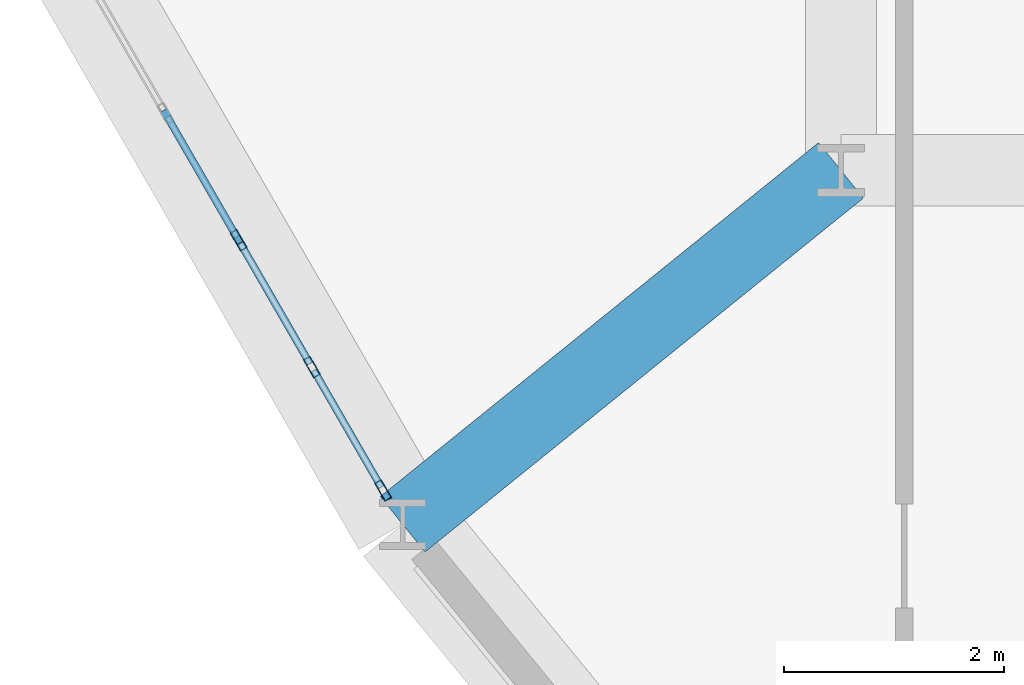
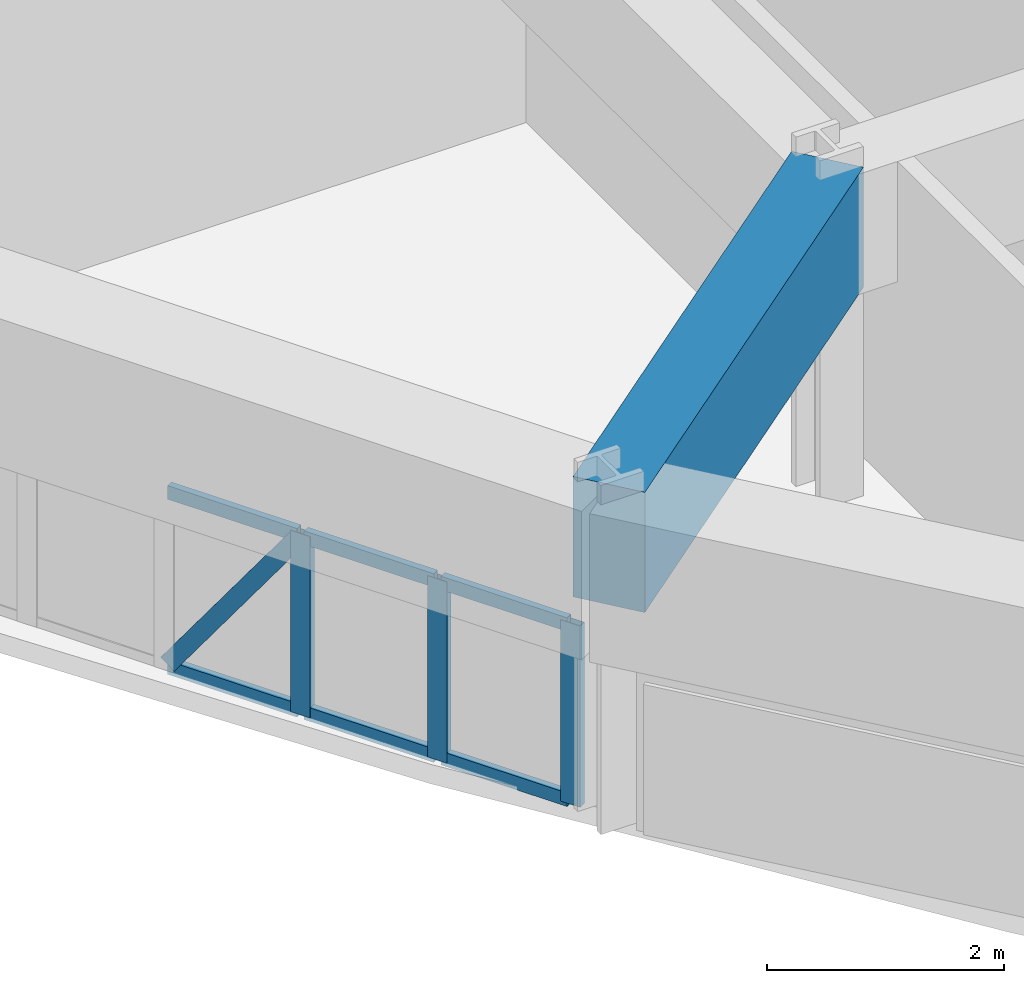
# One storey, part 2 of 15: 10 members, 1 beam, 1 element without a shape of its own.
"""IFC4 building model written with IfcOpenShell, lengths in metres."""

from ifc_helpers import new_model, si_unit, derived_unit, direction, frame, origin, origin_2d, place, context, subcontext, project, spatial, rectangle, hollow_rectangle, extrude, source, transform, mapped, material, layer, layer_set, material_profile, profile_set, type_object, element, aggregate, save


model = new_model("IFC4")

# Units and contexts
model_context = context("Model", 3, precision=1e-05, world=origin(), true_north=direction((0.0, 1.0)))
body_context = subcontext(model_context, "Body", "Model", "MODEL_VIEW")
ifc_project = project(units=[si_unit("LENGTHUNIT", "METRE"), si_unit("AREAUNIT", "SQUARE_METRE"), si_unit("VOLUMEUNIT", "CUBIC_METRE"), si_unit("PLANEANGLEUNIT", "RADIAN"), si_unit("MASSUNIT", "GRAM", prefix="KILO"), derived_unit("THERMALTRANSMITTANCEUNIT", [(si_unit("POWERUNIT", "WATT"), 1), (si_unit("LENGTHUNIT", "METRE"), -2), (si_unit("THERMODYNAMICTEMPERATUREUNIT", "KELVIN"), -1)])], contexts=[model_context])

# Site, building, storey
site_placement = place(None, origin())
site = spatial("IfcSite", under=ifc_project, at=site_placement, CompositionType="ELEMENT")
building_placement = place(site_placement, origin())
building = spatial("IfcBuilding", under=site, at=building_placement, Name="Korsvarv Bourse and Concert Hall", CompositionType="ELEMENT")
storey_placement = place(building_placement, frame((0.0, 0.0, 109.800048828125)))
storey = spatial("IfcBuildingStorey", under=building, at=storey_placement, Name="L27", CompositionType="ELEMENT", Elevation=109.800048828125)

# Beam
ifc_material_1 = material(Name="Concrete C50/60", Category="concrete")
ifc_material_profile_1 = material_profile(ifc_material_1, rectangle(XDim=0.64990234375, YDim=1.239990234375, at=origin_2d()), Name="RC-BM 650x1240")
ifc_profile_set_1 = profile_set([ifc_material_profile_1], Name="Concrete C50/60")
beam_type = type_object("IfcBeamType", Name="BM-TR-SPN", PredefinedType="BEAM", material=ifc_profile_set_1)
shared_shape_1 = source(origin(), body_context, "Body", "SweptSolid", [
    extrude(rectangle(XDim=0.64990234375, YDim=1.239990234375, at=origin_2d()), origin(), (0.0, 0.0, 1.0), 5.132080078125),
])
beam_placement = place(storey_placement, frame((23.607177734375, 20.77587890625, 2.780029296875), z_axis=(0.778029713996, 0.62822747802, 0.0), x_axis=(-0.62822747802, 0.778029713996, 0.0)))
element("IfcBeam", 1, at=beam_placement, inside=storey, type_object=beam_type, Name="L27 beam B-TRS", PredefinedType="BEAM", context=body_context, shape_type="MappedRepresentation", body=[
    mapped(shared_shape_1, transform((0.0, 0.0, 0.0), scale=1.0)),
])

# Curtain wall, members
ifc_material_2 = material(Name="Anodised aluminium and triple low-E glazing", Category="glass")
ifc_layer = layer(ifc_material_2, 0.2099609375)
ifc_layer_set = layer_set([ifc_layer], Name="Anodised aluminium and triple low-E glazing")
curtain_wall_type = type_object("IfcCurtainWallType", Name="CW-SYS-2", PredefinedType="NOTDEFINED", material=ifc_layer_set)
curtain_wall_placement = place(storey_placement, origin())
curtain_wall = element("IfcCurtainWall", 2, at=curtain_wall_placement, inside=storey, type_object=curtain_wall_type, Name="L27 CW2 curtain wall CW-L27-F07", PredefinedType="NOTDEFINED")
ifc_material_3 = material(Name="Extruded aluminium EN AW-6063 T66", Category="aluminium")
ifc_material_profile_2 = material_profile(ifc_material_3, hollow_rectangle(XDim=0.070068359375, YDim=0.18994140625, WallThickness=0.0048828125, at=origin_2d()), Name="ALU-M 70x190")
ifc_profile_set_2 = profile_set([ifc_material_profile_2], Name="Extruded aluminium EN AW-6063 T66")
member_type_1 = type_object("IfcMemberType", Name="CWM-190", PredefinedType="MULLION", material=ifc_profile_set_2)
shared_shape_2 = source(origin(), body_context, "Body", "SweptSolid", [
    extrude(hollow_rectangle(XDim=0.070068359375, YDim=0.18994140625, WallThickness=0.0048828125, at=origin_2d()), origin(), (0.0, 0.0, 1.0), 1.869873046875),
])
member_1_placement = place(storey_placement, frame((22.113525390625, 23.363037109375, 0.0), z_axis=(0.0, 0.0, 1.0), x_axis=(0.866021744853, 0.500006337402, 0.0)))
member_1 = element("IfcMember", 3, at=member_1_placement, type_object=member_type_1, Name="CW2 mullion 9", PredefinedType="MULLION", context=body_context, shape_type="MappedRepresentation", body=[
    mapped(shared_shape_2, transform((0.0, 0.0, 0.0), scale=1.0)),
])
member_2_placement = place(storey_placement, frame((22.7802734375, 22.208251953125, 0.0), z_axis=(0.0, 0.0, 1.0), x_axis=(0.866021744853, 0.500006337402, 0.0)))
member_2 = element("IfcMember", 4, at=member_2_placement, type_object=member_type_1, Name="CW2 mullion 10", PredefinedType="MULLION", context=body_context, shape_type="MappedRepresentation", body=[
    mapped(shared_shape_2, transform((0.0, 0.0, 0.0), scale=1.0)),
])
member_3_placement = place(storey_placement, frame((23.429443359375, 21.083740234375, 0.0), z_axis=(0.0, 0.0, 1.0), x_axis=(0.866021744853, 0.500006337402, 0.0)))
member_3 = element("IfcMember", 5, at=member_3_placement, type_object=member_type_1, Name="CW2 mullion 11", PredefinedType="MULLION", context=body_context, shape_type="MappedRepresentation", body=[
    mapped(shared_shape_2, transform((0.0, 0.0, 0.0), scale=1.0)),
])
ifc_material_profile_3 = material_profile(ifc_material_3, hollow_rectangle(XDim=0.06494140625, YDim=0.139892578125, WallThickness=0.00390625, at=origin_2d()), Name="ALU-T 65x140")
ifc_profile_set_3 = profile_set([ifc_material_profile_3], Name="Extruded aluminium EN AW-6063 T66")
member_type_2 = type_object("IfcMemberType", Name="CWT-140", PredefinedType="USERDEFINED", material=ifc_profile_set_3)
shared_shape_3 = source(origin(), body_context, "Body", "SweptSolid", [
    extrude(hollow_rectangle(XDim=0.06494140625, YDim=0.139892578125, WallThickness=0.00390625, at=origin_2d()), origin(), (0.0, 0.0, 1.0), 1.263671875),
])
member_4_placement = place(storey_placement, frame((21.464111328125, 24.487548828125, 0.032470703125), z_axis=(0.500045805297, -0.865998956469, 0.0), x_axis=(0.865998956469, 0.500045805297, 0.0)))
member_4 = element("IfcMember", 6, at=member_4_placement, type_object=member_type_2, Name="CW2 transom 8.1", ObjectType="TRANSOM", PredefinedType="USERDEFINED", context=body_context, shape_type="MappedRepresentation", body=[
    mapped(shared_shape_3, transform((0.0, 0.0, 0.0), scale=1.0)),
])
member_5_placement = place(storey_placement, frame((21.464111328125, 24.487548828125, 1.83740234375), z_axis=(0.500045805297, -0.865998956469, 0.0), x_axis=(0.865998956469, 0.500045805297, 0.0)))
member_5 = element("IfcMember", 7, at=member_5_placement, type_object=member_type_2, Name="CW2 transom 8.2", ObjectType="TRANSOM", PredefinedType="USERDEFINED", context=body_context, shape_type="MappedRepresentation", body=[
    mapped(shared_shape_3, transform((0.0, 0.0, 0.0), scale=1.0)),
])
member_6_placement = place(storey_placement, frame((22.130859375, 23.332763671875, 0.032470703125), z_axis=(0.500045805297, -0.865998956469, 0.0), x_axis=(0.865998956469, 0.500045805297, 0.0)))
member_6 = element("IfcMember", 8, at=member_6_placement, type_object=member_type_2, Name="CW2 transom 9.1", ObjectType="TRANSOM", PredefinedType="USERDEFINED", context=body_context, shape_type="MappedRepresentation", body=[
    mapped(shared_shape_3, transform((0.0, 0.0, 0.0), scale=1.0)),
])
member_7_placement = place(storey_placement, frame((22.130859375, 23.332763671875, 1.83740234375), z_axis=(0.500045805297, -0.865998956469, 0.0), x_axis=(0.865998956469, 0.500045805297, 0.0)))
member_7 = element("IfcMember", 9, at=member_7_placement, type_object=member_type_2, Name="CW2 transom 9.2", ObjectType="TRANSOM", PredefinedType="USERDEFINED", context=body_context, shape_type="MappedRepresentation", body=[
    mapped(shared_shape_3, transform((0.0, 0.0, 0.0), scale=1.0)),
])
ifc_material_profile_4 = material_profile(ifc_material_3, hollow_rectangle(XDim=0.06494140625, YDim=0.1650390625, WallThickness=0.0048828125, at=origin_2d()), Name="ALU-M 65x165")
ifc_profile_set_4 = profile_set([ifc_material_profile_4], Name="Extruded aluminium EN AW-6063 T66")
member_type_3 = type_object("IfcMemberType", Name="CWM-165", PredefinedType="MULLION", material=ifc_profile_set_4)
shared_shape_4 = source(origin(), body_context, "Body", "SweptSolid", [
    extrude(hollow_rectangle(XDim=0.06494140625, YDim=0.1650390625, WallThickness=0.0048828125, at=origin_2d()), origin(), (0.0, 0.0, 1.0), 2.150390625),
])
member_8_placement = place(storey_placement, frame((21.464111328125, 24.487548828125, 0.06494140625), z_axis=(0.293825059629, -0.508857773283, 0.809154250377), x_axis=(0.865998956469, 0.500045805297, 0.0)))
member_8 = element("IfcMember", 10, at=member_8_placement, type_object=member_type_3, Name="CW2 diagonal mullion 8", PredefinedType="MULLION", context=body_context, shape_type="MappedRepresentation", body=[
    mapped(shared_shape_4, transform((0.0, 0.0, 0.0), scale=1.0)),
])
shared_shape_5 = source(origin(), body_context, "Body", "SweptSolid", [
    extrude(hollow_rectangle(XDim=0.06494140625, YDim=0.139892578125, WallThickness=0.00390625, at=origin_2d()), origin(), (0.0, 0.0, 1.0), 1.228515625),
])
member_9_placement = place(storey_placement, frame((22.7978515625, 22.177978515625, 0.032470703125), z_axis=(0.499986217557, -0.866033360935, 0.0), x_axis=(0.866033360935, 0.499986217557, 0.0)))
member_9 = element("IfcMember", 11, at=member_9_placement, type_object=member_type_2, Name="CW2 transom 10.1", ObjectType="TRANSOM", PredefinedType="USERDEFINED", context=body_context, shape_type="MappedRepresentation", body=[
    mapped(shared_shape_5, transform((0.0, 0.0, 0.0), scale=1.0)),
])
member_10_placement = place(storey_placement, frame((22.7978515625, 22.177978515625, 1.83740234375), z_axis=(0.499986217557, -0.866033360935, 0.0), x_axis=(0.866033360935, 0.499986217557, 0.0)))
member_10 = element("IfcMember", 12, at=member_10_placement, type_object=member_type_2, Name="CW2 transom 10.2", ObjectType="TRANSOM", PredefinedType="USERDEFINED", context=body_context, shape_type="MappedRepresentation", body=[
    mapped(shared_shape_5, transform((0.0, 0.0, 0.0), scale=1.0)),
])
aggregate(curtain_wall, [member_1, member_2, member_3, member_4, member_5, member_8, member_6, member_7, member_9, member_10])

save(model, "model.ifc")
